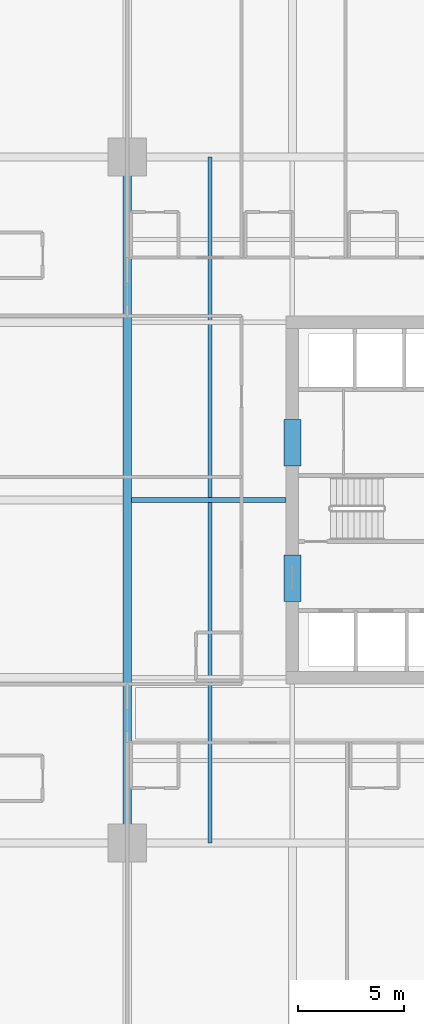
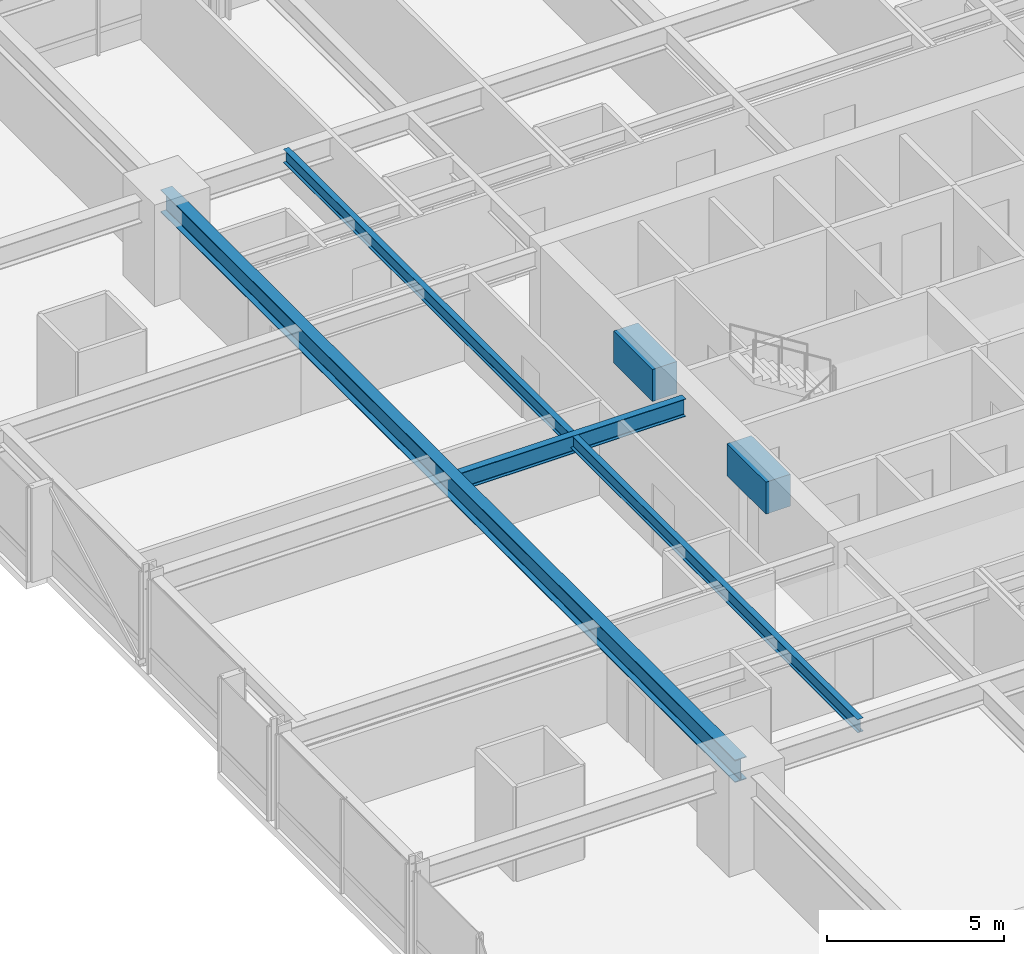
# One storey, part 10 of 38: 5 beams.
"""IFC4 building model written with IfcOpenShell, lengths in metres."""

from ifc_helpers import new_model, si_unit, direction, frame, origin, origin_2d, place, context, subcontext, project, spatial, rectangle, i_section, extrude, material, material_profile, profile_set, type_object, element, save


model = new_model("IFC4")

# Units and contexts
model_context = context("Model", 3, precision=1e-05, world=origin(), true_north=direction((0.0, 1.0)))
body_context = subcontext(model_context, "Body", "Model", "MODEL_VIEW")
ifc_project = project(units=[si_unit("LENGTHUNIT", "METRE"), si_unit("AREAUNIT", "SQUARE_METRE"), si_unit("VOLUMEUNIT", "CUBIC_METRE"), si_unit("PLANEANGLEUNIT", "RADIAN"), si_unit("MASSUNIT", "GRAM", prefix="KILO")], contexts=[model_context])

# Site, building, storey
site_placement = place(None, origin())
site = spatial("IfcSite", under=ifc_project, at=site_placement, CompositionType="ELEMENT")
building_placement = place(site_placement, origin())
building = spatial("IfcBuilding", under=site, at=building_placement, Name="Drelvath Grand Hotel", CompositionType="ELEMENT")
storey_placement = place(building_placement, frame((0.0, 0.0, 71.699951171875)))
storey = spatial("IfcBuildingStorey", under=building, at=storey_placement, Name="L17", CompositionType="ELEMENT", Elevation=71.699951171875)

# Beams
ifc_material_1 = material(Name="Steel ASTM A992 Gr 50", Category="steel")
ifc_material_profile_1 = material_profile(ifc_material_1, i_section(OverallWidth=0.19140625, OverallDepth=0.4599609375, WebThickness=0.010009765625, FlangeThickness=0.01611328125, FilletRadius=0.01611328125, at=origin_2d()), Name="W18X55")
ifc_profile_set_1 = profile_set([ifc_material_profile_1], Name="Steel ASTM A992 Gr 50")
beam_type_1 = type_object("IfcBeamType", Name="Composite Floor Joist W18X55", PredefinedType="JOIST", material=ifc_profile_set_1)
beam_1_placement = place(storey_placement, frame((-12.300048828125, 10.800048828125, 3.010009765625), z_axis=(0.0, 1.0, 0.0), x_axis=(-1.0, 0.0, 0.0)))
element("IfcBeam", 1, at=beam_1_placement, inside=storey, type_object=beam_type_1, Name="L17 Wing Floor Joist J3", PredefinedType="JOIST", context=body_context, shape_type="SweptSolid", body=[
    extrude(i_section(OverallWidth=0.19140625, OverallDepth=0.4599609375, WebThickness=0.010009765625, FlangeThickness=0.01611328125, FilletRadius=0.01611328125, at=origin_2d()), origin(), (0.0, 0.0, 1.0), 32.39990234375),
])
ifc_material_2 = material(Name="Concrete f'c 70 MPa", Category="concrete")
ifc_material_profile_2 = material_profile(ifc_material_2, rectangle(XDim=0.800048828125, YDim=1.10009765625, at=origin_2d()), Name="CB800X1100")
ifc_profile_set_2 = profile_set([ifc_material_profile_2], Name="Concrete f'c 70 MPa")
beam_type_2 = type_object("IfcBeamType", Name="Core Coupling Lintel CB800X1100", PredefinedType="LINTEL", material=ifc_profile_set_2)
for number, where, z_axis, x_axis, name in (
    (2, (-8.39990234375, 22.199951171875, 2.68994140625), (0.0, 1.0, 0.0), (-1.0, 0.0, 0.0), "L17 Core Coupling Lintel WS"),
    (3, (-8.39990234375, 28.60009765625, 2.68994140625), (0.0, 1.0, 0.0), (-1.0, 0.0, 0.0), "L17 Core Coupling Lintel WN"),
):
    element("IfcBeam", number, at=place(storey_placement, frame(where, z_axis=z_axis, x_axis=x_axis)), inside=storey, type_object=beam_type_2, Name=name, PredefinedType="LINTEL", context=body_context, shape_type="SweptSolid", body=[
        extrude(rectangle(XDim=0.800048828125, YDim=1.10009765625, at=origin_2d()), origin(), (0.0, 0.0, 1.0), 2.199951171875),
    ])
ifc_material_profile_3 = material_profile(ifc_material_1, i_section(OverallWidth=0.228271484375, OverallDepth=0.607666015625, WebThickness=0.01123046875, FlangeThickness=0.017333984375, FilletRadius=0.02001953125, at=origin_2d()), Name="W24X76")
ifc_profile_set_3 = profile_set([ifc_material_profile_3], Name="Steel ASTM A992 Gr 50")
beam_type_3 = type_object("IfcBeamType", Name="Primary Floor Girder W24X76", PredefinedType="BEAM", material=ifc_profile_set_3)
beam_2_placement = place(storey_placement, frame((-16.009765625, 27.0, 2.936279296875), z_axis=(1.0, 0.0, 0.0), x_axis=(0.0, 1.0, 0.0)))
element("IfcBeam", 4, at=beam_2_placement, inside=storey, type_object=beam_type_3, Name="L17 West Core Tie E", PredefinedType="BEAM", context=body_context, shape_type="SweptSolid", body=[
    extrude(i_section(OverallWidth=0.228271484375, OverallDepth=0.607666015625, WebThickness=0.01123046875, FlangeThickness=0.017333984375, FilletRadius=0.02001953125, at=origin_2d()), origin(), (0.0, 0.0, 1.0), 7.309814453125),
])
ifc_material_profile_4 = material_profile(ifc_material_1, i_section(OverallWidth=0.380615234375, OverallDepth=0.773193359375, WebThickness=0.0166015625, FlangeThickness=0.027099609375, FilletRadius=0.02490234375, at=origin_2d()), Name="W30X173")
ifc_profile_set_4 = profile_set([ifc_material_profile_4], Name="Steel ASTM A992 Gr 50")
beam_type_4 = type_object("IfcBeamType", Name="Primary Floor Girder W30X173", PredefinedType="BEAM", material=ifc_profile_set_4)
beam_3_placement = place(storey_placement, frame((-16.199951171875, 10.800048828125, 2.853515625), z_axis=(0.0, 1.0, 0.0), x_axis=(-1.0, 0.0, 0.0)))
element("IfcBeam", 5, at=beam_3_placement, inside=storey, type_object=beam_type_4, Name="L17 Mega Ring Girder West", PredefinedType="BEAM", context=body_context, shape_type="SweptSolid", body=[
    extrude(i_section(OverallWidth=0.380615234375, OverallDepth=0.773193359375, WebThickness=0.0166015625, FlangeThickness=0.027099609375, FilletRadius=0.02490234375, at=origin_2d()), origin(), (0.0, 0.0, 1.0), 32.39990234375),
])

save(model, "model.ifc")
